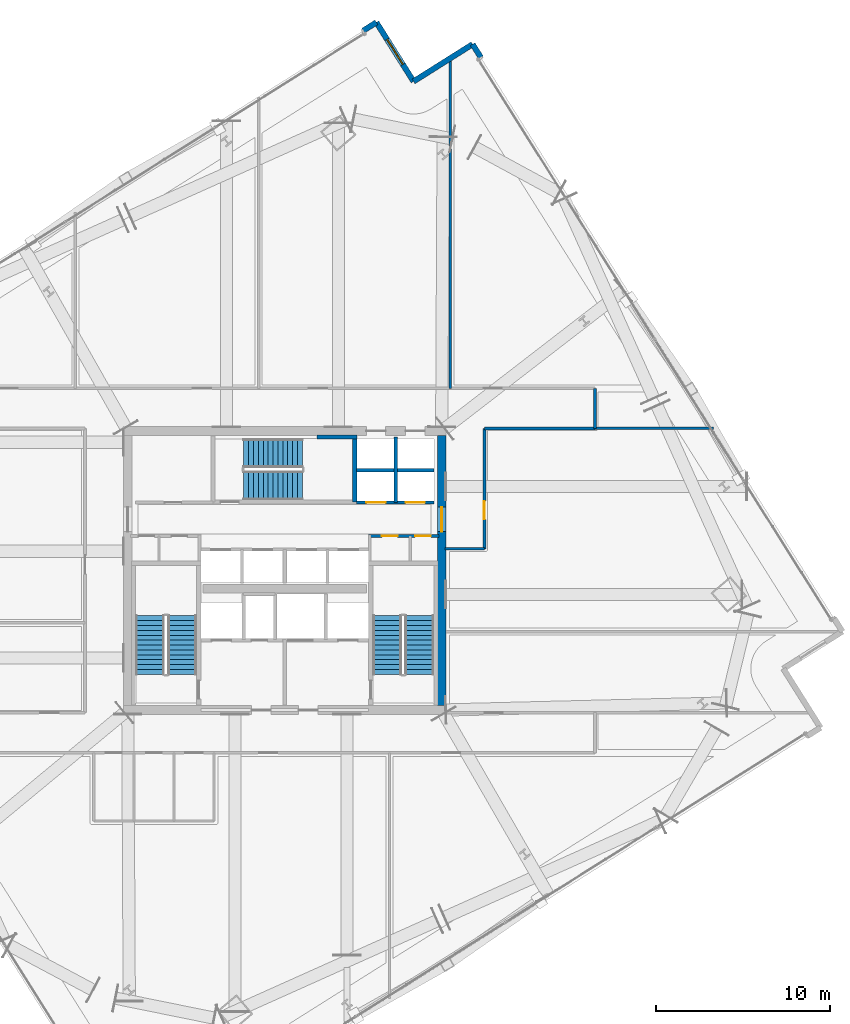
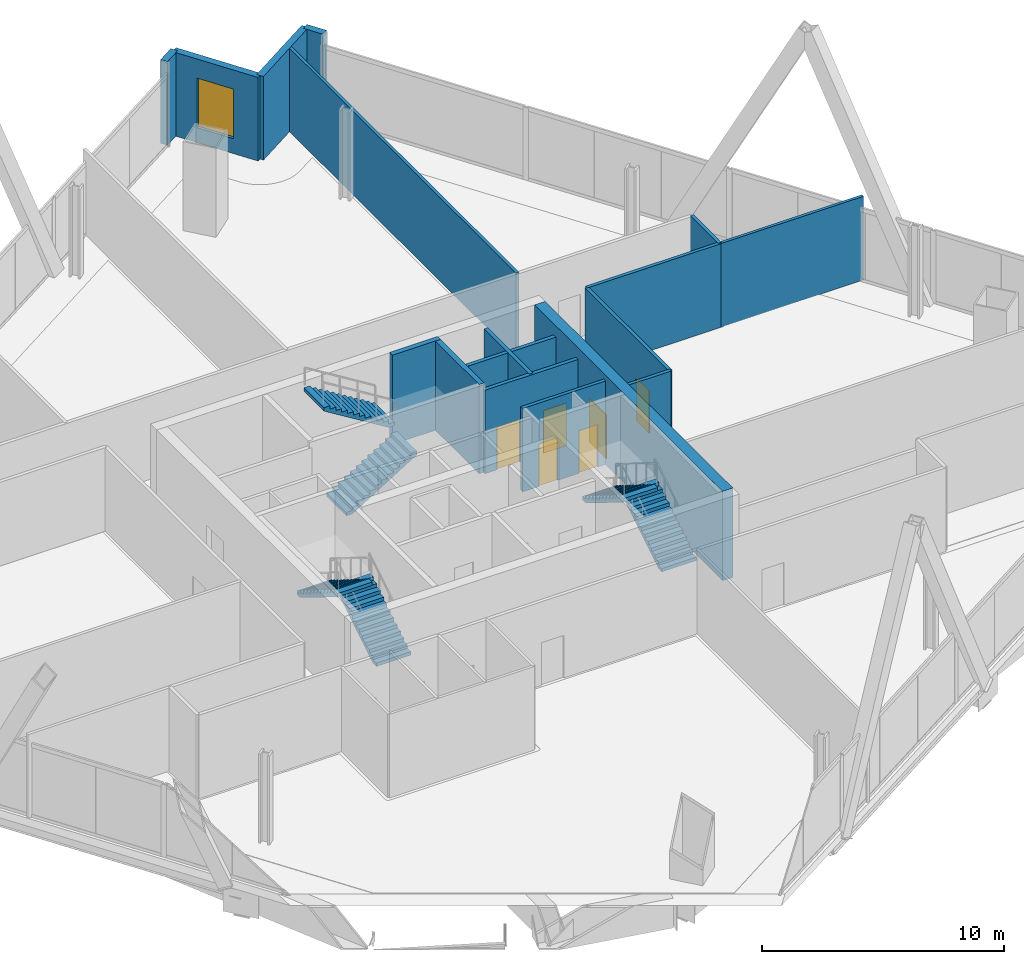
# One storey, part 24 of 29: 17 walls, 6 doors, 6 stair flights, 1 window, 7 openings, 3 elements without a shape of their own.
"""IFC4 building model written with IfcOpenShell, lengths in metres."""

from ifc_helpers import new_model, si_unit, direction, frame, frame_2d, origin, place, context, subcontext, project, spatial, polyline, rectangle, outline, extrude, material, layer, layer_set, type_object, element, fill, aggregate, save


model = new_model("IFC4")

# Units and contexts
model_context = context("Model", 3, precision=1e-05, world=origin(), true_north=direction((0.0, 1.0)))
body_context = subcontext(model_context, "Body", "Model", "MODEL_VIEW")
ifc_project = project(units=[si_unit("LENGTHUNIT", "METRE"), si_unit("AREAUNIT", "SQUARE_METRE"), si_unit("VOLUMEUNIT", "CUBIC_METRE"), si_unit("PLANEANGLEUNIT", "RADIAN"), si_unit("MASSUNIT", "GRAM", prefix="KILO")], contexts=[model_context])

# Site, building, storey
site_placement = place(None, origin())
site = spatial("IfcSite", under=ifc_project, at=site_placement, CompositionType="ELEMENT")
building_placement = place(site_placement, origin())
building = spatial("IfcBuilding", under=site, at=building_placement, Name="Haldenkirk Collegiate Tower", CompositionType="ELEMENT")
storey_placement = place(building_placement, frame((0.0, 0.0, 136.199951171875)))
storey = spatial("IfcBuildingStorey", under=building, at=storey_placement, Name="L33", CompositionType="ELEMENT", Elevation=136.199951171875)

# Wall, opening, door
ifc_material_1 = material(Name="Concrete f'c 55 MPa", Category="concrete")
ifc_layer_1 = layer(ifc_material_1, 0.5)
ifc_layer_set_1 = layer_set([ifc_layer_1], Name="Concrete f'c 55 MPa")
wall_type_1 = type_object("IfcWallType", Name="WL-CORE-500", PredefinedType="SHEAR", material=ifc_layer_set_1)
wall_1_placement = place(storey_placement, frame((45.0, 18.25, 0.0), z_axis=(0.0, 0.0, 1.0), x_axis=(0.0, 1.0, 0.0)))
wall_1 = element("IfcWall", 1, at=wall_1_placement, inside=storey, type_object=wall_type_1, Name="L33 central core shear wall E", PredefinedType="SHEAR", context=body_context, shape_type="SweptSolid", body=[
    extrude(rectangle(XDim=15.5, YDim=0.5, at=frame_2d((7.75, 0.0))), origin(), (0.0, 0.0, 1.0), 4.5),
])
opening_1_placement = place(wall_1_placement, frame((9.989990234375, 0.0, 0.0)))
opening_1 = element("IfcOpeningElement", 2, at=opening_1_placement, cuts=wall_1, Name="Opening D-03", PredefinedType="OPENING", context=body_context, shape_type="SweptSolid", body=[
    extrude(rectangle(XDim=1.39990234375, YDim=2.199951171875, at=frame_2d((0.699951171875, 1.10009765625))), frame((0.0, 0.260009765625, 0.0), z_axis=(0.0, -1.0, 0.0), x_axis=(1.0, 0.0, 0.0)), (0.0, 0.0, 1.0), 0.52001953125),
])
ifc_material_2 = material(Name="Galvanized fire-rated hollow steel door", Category="steel")
ifc_layer_2 = layer(ifc_material_2, 0.06005859375)
ifc_layer_set_2 = layer_set([ifc_layer_2], Name="Galvanized fire-rated hollow steel door")
door_type_1 = type_object("IfcDoorType", Name="DR-LOBBY-FD90-1400", OperationType="NOTDEFINED", PredefinedType="DOOR", material=ifc_layer_set_2)
door_1_placement = place(opening_1_placement, origin())
door_1 = element("IfcDoor", 3, at=door_1_placement, inside=storey, type_object=door_type_1, Name="L33 east lift lobby portal", OperationType="DOUBLE_DOOR_SINGLE_SWING", OverallHeight=2.199951171875, OverallWidth=1.39990234375, PredefinedType="DOOR", context=body_context, shape_type="SweptSolid", body=[
    extrude(rectangle(XDim=1.39990234375, YDim=2.199951171875, at=frame_2d((0.699951171875, 1.10009765625))), frame((0.0, 0.02490234375, 0.0), z_axis=(0.0, -1.0, 0.0), x_axis=(1.0, 0.0, 0.0)), (0.0, 0.0, 1.0), 0.050048828125),
])
fill(opening_1, door_1)

# Walls
ifc_material_3 = material(Name="Precast concrete f'c 40 MPa", Category="concrete")
ifc_layer_3 = layer(ifc_material_3, 0.320068359375)
ifc_layer_set_3 = layer_set([ifc_layer_3], Name="Precast concrete f'c 40 MPa")
wall_type_2 = type_object("IfcWallType", Name="WL-EXT-TWR-320", PredefinedType="STANDARD", material=ifc_layer_set_3)
wall_2_placement = place(storey_placement, frame((46.773193359375, 56.18310546875, 0.0), z_axis=(0.0, 0.0, 1.0), x_axis=(0.532726937179, -0.846287191445, 0.0)))
element("IfcWall", 4, at=wall_2_placement, inside=storey, type_object=wall_type_2, Name="L33 precast corner pier EL", PredefinedType="STANDARD", context=body_context, shape_type="SweptSolid", body=[
    extrude(rectangle(XDim=0.900146484375, YDim=0.320068359375, at=frame_2d((0.4501953125, 0.0))), origin(), (0.0, 0.0, 1.0), 4.2099609375),
])
wall_3_placement = place(storey_placement, frame((43.38818359375, 54.051513671875, 0.0), z_axis=(0.0, 0.0, 1.0), x_axis=(0.846200224481, 0.532865067432, 0.0)))
element("IfcWall", 5, at=wall_3_placement, inside=storey, type_object=wall_type_2, Name="L33 bronze precast notch wall 05", PredefinedType="STANDARD", context=body_context, shape_type="SweptSolid", body=[
    extrude(rectangle(XDim=4.000244140625, YDim=0.320068359375, at=frame_2d((2.0, 0.0))), origin(), (0.0, 0.0, 1.0), 4.2099609375),
])

# Wall, opening, window
wall_4_placement = place(storey_placement, frame((41.2568359375, 57.436279296875, 0.0), z_axis=(0.0, 0.0, 1.0), x_axis=(0.532848883848, -0.846210415312, 0.0)))
wall_4 = element("IfcWall", 6, at=wall_4_placement, inside=storey, type_object=wall_type_2, Name="L33 bronze precast notch wall 06", PredefinedType="STANDARD", context=body_context, shape_type="SweptSolid", body=[
    extrude(rectangle(XDim=4.0, YDim=0.320068359375, at=frame_2d((2.0, 0.0))), origin(), (0.0, 0.0, 1.0), 4.2099609375),
])
opening_2_placement = place(wall_4_placement, frame((1.14990234375, 0.0, 0.75)))
opening_2 = element("IfcOpeningElement", 7, at=opening_2_placement, cuts=wall_4, Name="Opening W-09", PredefinedType="OPENING", context=body_context, shape_type="SweptSolid", body=[
    extrude(rectangle(XDim=1.699951171875, YDim=2.5, at=frame_2d((0.85009765625, 1.25))), frame((0.0, 0.169921875, 0.0), z_axis=(0.0, -1.0, 0.0), x_axis=(1.0, 0.0, 0.0)), (0.0, 0.0, 1.0), 0.340087890625),
])
ifc_material_4 = material(Name="Low-E argon triple insulating glass", Category="glass")
ifc_layer_4 = layer(ifc_material_4, 0.090087890625)
ifc_layer_set_4 = layer_set([ifc_layer_4], Name="Low-E argon triple insulating glass")
window_type = type_object("IfcWindowType", Name="WN-SG-1700X2500", PartitioningType="SINGLE_PANEL", PredefinedType="WINDOW", material=ifc_layer_set_4)
window_placement = place(opening_2_placement, origin())
window = element("IfcWindow", 8, at=window_placement, inside=storey, type_object=window_type, Name="L33 precast-frame academic window 5", OverallHeight=2.5, OverallWidth=1.699951171875, PartitioningType="SINGLE_PANEL", PredefinedType="WINDOW", context=body_context, shape_type="SweptSolid", body=[
    extrude(rectangle(XDim=1.699951171875, YDim=2.5, at=frame_2d((0.85009765625, 1.25))), frame((0.0, 0.030029296875, 0.0), z_axis=(0.0, -1.0, 0.0), x_axis=(1.0, 0.0, 0.0)), (0.0, 0.0, 1.0), 0.06005859375),
])
fill(opening_2, window)

# Wall
wall_5_placement = place(storey_placement, frame((40.4951171875, 56.956787109375, 0.0), z_axis=(0.0, 0.0, 1.0), x_axis=(0.846287191445, 0.532726937179, 0.0)))
element("IfcWall", 9, at=wall_5_placement, inside=storey, type_object=wall_type_2, Name="L33 precast corner pier NR", PredefinedType="STANDARD", context=body_context, shape_type="SweptSolid", body=[
    extrude(rectangle(XDim=0.900146484375, YDim=0.320068359375, at=frame_2d((0.4501953125, 0.0))), origin(), (0.0, 0.0, 1.0), 4.2099609375),
])

# Wall, openings, doors
ifc_material_5 = material(Name="Acoustic fire-rated gypsum partition", Category="concrete")
ifc_layer_5 = layer(ifc_material_5, 0.159912109375)
ifc_layer_set_5 = layer_set([ifc_layer_5], Name="Acoustic fire-rated gypsum partition")
wall_type_3 = type_object("IfcWallType", Name="WL-INT-CORR-160", PredefinedType="PARTITIONING", material=ifc_layer_set_5)
wall_6_placement = place(storey_placement, frame((40.800048828125, 27.97998046875, 0.0), z_axis=(0.0, 0.0, 1.0), x_axis=(1.0, 0.0, 0.0)))
wall_6 = element("IfcWall", 10, at=wall_6_placement, inside=storey, type_object=wall_type_3, Name="L33 interior partition IW-L33-VCSE-N", PredefinedType="PARTITIONING", context=body_context, shape_type="SweptSolid", body=[
    extrude(rectangle(XDim=4.050048828125, YDim=0.159912109375, at=frame_2d((2.02490234375, 0.0))), origin(), (0.0, 0.0, 1.0), 4.2099609375),
])
opening_3_placement = place(wall_6_placement, frame((0.77001953125, 0.0, 0.0)))
opening_3 = element("IfcOpeningElement", 11, at=opening_3_placement, cuts=wall_6, Name="Opening D-11", PredefinedType="OPENING", context=body_context, shape_type="SweptSolid", body=[
    extrude(rectangle(XDim=0.89990234375, YDim=2.14990234375, at=frame_2d((0.449951171875, 1.074951171875))), frame((0.0, 0.08984375, 0.0), z_axis=(0.0, -1.0, 0.0), x_axis=(1.0, 0.0, 0.0)), (0.0, 0.0, 1.0), 0.179931640625),
])
opening_4_placement = place(wall_6_placement, frame((2.679931640625, 0.0, 0.0)))
opening_4 = element("IfcOpeningElement", 12, at=opening_4_placement, cuts=wall_6, Name="Opening D-11", PredefinedType="OPENING", context=body_context, shape_type="SweptSolid", body=[
    extrude(rectangle(XDim=0.89990234375, YDim=2.14990234375, at=frame_2d((0.449951171875, 1.074951171875))), frame((0.0, 0.08984375, 0.0), z_axis=(0.0, -1.0, 0.0), x_axis=(1.0, 0.0, 0.0)), (0.0, 0.0, 1.0), 0.179931640625),
])
ifc_material_6 = material(Name="Solid-core architectural oak fire door", Category="wood")
ifc_layer_6 = layer(ifc_material_6, 0.06005859375)
ifc_layer_set_6 = layer_set([ifc_layer_6], Name="Solid-core architectural oak fire door")
door_type_2 = type_object("IfcDoorType", Name="DR-INT-FD60-900", OperationType="NOTDEFINED", PredefinedType="DOOR", material=ifc_layer_set_6)
door_2_placement = place(opening_3_placement, origin())
door_2 = element("IfcDoor", 13, at=door_2_placement, inside=storey, type_object=door_type_2, Name="L33 core archive door", OperationType="SINGLE_SWING_RIGHT", OverallHeight=2.14990234375, OverallWidth=0.89990234375, PredefinedType="DOOR", context=body_context, shape_type="SweptSolid", body=[
    extrude(rectangle(XDim=0.89990234375, YDim=2.14990234375, at=frame_2d((0.449951171875, 1.074951171875))), frame((0.0, 0.02490234375, 0.0), z_axis=(0.0, -1.0, 0.0), x_axis=(1.0, 0.0, 0.0)), (0.0, 0.0, 1.0), 0.050048828125),
])
fill(opening_3, door_2)
door_3_placement = place(opening_4_placement, origin())
door_3 = element("IfcDoor", 14, at=door_3_placement, inside=storey, type_object=door_type_2, Name="L33 core telecom door", OperationType="SINGLE_SWING_LEFT", OverallHeight=2.14990234375, OverallWidth=0.89990234375, PredefinedType="DOOR", context=body_context, shape_type="SweptSolid", body=[
    extrude(rectangle(XDim=0.89990234375, YDim=2.14990234375, at=frame_2d((0.449951171875, 1.074951171875))), frame((0.0, 0.02490234375, 0.0), z_axis=(0.0, -1.0, 0.0), x_axis=(1.0, 0.0, 0.0)), (0.0, 0.0, 1.0), 0.050048828125),
])
fill(opening_4, door_3)

# Wall
wall_7_placement = place(storey_placement, frame((47.449951171875, 34.14990234375, 0.0), z_axis=(0.0, 0.0, 1.0), x_axis=(1.0, 0.0, 0.0)))
element("IfcWall", 15, at=wall_7_placement, inside=storey, type_object=wall_type_3, Name="L33 interior partition IW-L33-CNE", PredefinedType="PARTITIONING", context=body_context, shape_type="SweptSolid", body=[
    extrude(rectangle(XDim=6.35009765625, YDim=0.159912109375, at=frame_2d((3.175048828125, 0.0))), origin(), (0.0, 0.0, 1.0), 4.2099609375),
])

# Wall, opening, door
wall_8_placement = place(storey_placement, frame((47.449951171875, 27.25, 0.0), z_axis=(0.0, 0.0, 1.0), x_axis=(0.0, 1.0, 0.0)))
wall_8 = element("IfcWall", 16, at=wall_8_placement, inside=storey, type_object=wall_type_3, Name="L33 interior partition IW-L33-CE", PredefinedType="PARTITIONING", context=body_context, shape_type="SweptSolid", body=[
    extrude(rectangle(XDim=6.89990234375, YDim=0.159912109375, at=frame_2d((3.449951171875, 0.0))), origin(), (0.0, 0.0, 1.0), 4.2099609375),
])
opening_5_placement = place(wall_8_placement, frame((1.68310546875, 0.0, 0.0)))
opening_5 = element("IfcOpeningElement", 17, at=opening_5_placement, cuts=wall_8, Name="Opening D-09", PredefinedType="OPENING", context=body_context, shape_type="SweptSolid", body=[
    extrude(rectangle(XDim=1.050048828125, YDim=2.14990234375, at=frame_2d((0.52490234375, 1.074951171875))), frame((0.0, 0.08984375, 0.0), z_axis=(0.0, -1.0, 0.0), x_axis=(1.0, 0.0, 0.0)), (0.0, 0.0, 1.0), 0.179931640625),
])
ifc_layer_7 = layer(ifc_material_6, 0.06005859375)
ifc_layer_set_7 = layer_set([ifc_layer_7], Name="Solid-core architectural oak fire door")
door_type_3 = type_object("IfcDoorType", Name="DR-INT-FD60-1050", OperationType="NOTDEFINED", PredefinedType="DOOR", material=ifc_layer_set_7)
door_4_placement = place(opening_5_placement, origin())
door_4 = element("IfcDoor", 18, at=door_4_placement, inside=storey, type_object=door_type_3, Name="L33 Student Reading Lounge 10 door", OperationType="SINGLE_SWING_LEFT", OverallHeight=2.14990234375, OverallWidth=1.050048828125, PredefinedType="DOOR", context=body_context, shape_type="SweptSolid", body=[
    extrude(rectangle(XDim=1.050048828125, YDim=2.14990234375, at=frame_2d((0.52490234375, 1.074951171875))), frame((0.0, 0.02490234375, 0.0), z_axis=(0.0, -1.0, 0.0), x_axis=(1.0, 0.0, 0.0)), (0.0, 0.0, 1.0), 0.050048828125),
])
fill(opening_5, door_4)

# Walls
wall_9_placement = place(storey_placement, frame((45.199951171875, 27.25, 0.0), z_axis=(0.0, 0.0, 1.0), x_axis=(1.0, 0.0, 0.0)))
element("IfcWall", 19, at=wall_9_placement, inside=storey, type_object=wall_type_3, Name="L33 interior partition IW-L33-CES", PredefinedType="PARTITIONING", context=body_context, shape_type="SweptSolid", body=[
    extrude(rectangle(XDim=2.25, YDim=0.159912109375, at=frame_2d((1.125, 0.0))), origin(), (0.0, 0.0, 1.0), 4.2099609375),
])
wall_10_placement = place(storey_placement, frame((53.800048828125, 34.14990234375, 0.0), z_axis=(0.0, 0.0, 1.0), x_axis=(0.0, 1.0, 0.0)))
element("IfcWall", 20, at=wall_10_placement, inside=storey, type_object=wall_type_3, Name="L33 interior partition IW-L33-CNR", PredefinedType="PARTITIONING", context=body_context, shape_type="SweptSolid", body=[
    extrude(rectangle(XDim=2.300048828125, YDim=0.159912109375, at=frame_2d((1.14990234375, 0.0))), origin(), (0.0, 0.0, 1.0), 4.2099609375),
])
ifc_layer_8 = layer(ifc_material_5, 0.139892578125)
ifc_layer_set_8 = layer_set([ifc_layer_8], Name="Acoustic fire-rated gypsum partition")
wall_type_4 = type_object("IfcWallType", Name="WL-INT-DIV-140", PredefinedType="PARTITIONING", material=ifc_layer_set_8)
wall_11_placement = place(storey_placement, frame((53.800048828125, 34.14990234375, 0.0), z_axis=(0.0, 0.0, 1.0), x_axis=(1.0, 0.0, 0.0)))
element("IfcWall", 21, at=wall_11_placement, inside=storey, type_object=wall_type_4, Name="L33 interior partition IW-L33-BEN", PredefinedType="PARTITIONING", context=body_context, shape_type="SweptSolid", body=[
    extrude(rectangle(XDim=6.80078125, YDim=0.139892578125, at=frame_2d((3.400390625, 0.0))), origin(), (0.0, 0.0, 1.0), 4.2099609375),
])
wall_12_placement = place(storey_placement, frame((45.5, 36.449951171875, 0.0), z_axis=(0.0, 0.0, 1.0), x_axis=(0.0, 1.0, 0.0)))
element("IfcWall", 22, at=wall_12_placement, inside=storey, type_object=wall_type_4, Name="L33 interior partition IW-L33-RN3", PredefinedType="PARTITIONING", context=body_context, shape_type="SweptSolid", body=[
    extrude(rectangle(XDim=18.884033203125, YDim=0.139892578125, at=frame_2d((9.44189453125, 0.0))), origin(), (0.0, 0.0, 1.0), 4.2099609375),
])

# Wall, openings, doors
ifc_material_7 = material(Name="Fire-rated gypsum shaftboard assembly", Category="concrete")
ifc_layer_9 = layer(ifc_material_7, 0.179931640625)
ifc_layer_set_9 = layer_set([ifc_layer_9], Name="Fire-rated gypsum shaftboard assembly")
wall_type_5 = type_object("IfcWallType", Name="WL-INT-SHAFT-180", PredefinedType="PARTITIONING", material=ifc_layer_set_9)
wall_13_placement = place(storey_placement, frame((40.1201171875, 29.89990234375, 0.0), z_axis=(0.0, 0.0, 1.0), x_axis=(1.0, 0.0, 0.0)))
wall_13 = element("IfcWall", 23, at=wall_13_placement, inside=storey, type_object=wall_type_5, Name="L33 interior partition IW-L33-PMS", PredefinedType="PARTITIONING", context=body_context, shape_type="SweptSolid", body=[
    extrude(rectangle(XDim=4.429931640625, YDim=0.179931640625, at=frame_2d((2.21484375, 0.0))), origin(), (0.0, 0.0, 1.0), 4.2099609375),
])
opening_6_placement = place(wall_13_placement, frame((0.56494140625, 0.0, 0.0)))
opening_6 = element("IfcOpeningElement", 24, at=opening_6_placement, cuts=wall_13, Name="Opening LD-11", PredefinedType="OPENING", context=body_context, shape_type="SweptSolid", body=[
    extrude(rectangle(XDim=1.10009765625, YDim=2.14990234375, at=frame_2d((0.550048828125, 1.074951171875))), frame((0.0, 0.099853515625, 0.0), z_axis=(0.0, -1.0, 0.0), x_axis=(1.0, 0.0, 0.0)), (0.0, 0.0, 1.0), 0.199951171875),
])
opening_7_placement = place(wall_13_placement, frame((2.81494140625, 0.0, 0.0)))
opening_7 = element("IfcOpeningElement", 25, at=opening_7_placement, cuts=wall_13, Name="Opening LD-11", PredefinedType="OPENING", context=body_context, shape_type="SweptSolid", body=[
    extrude(rectangle(XDim=1.10009765625, YDim=2.14990234375, at=frame_2d((0.550048828125, 1.074951171875))), frame((0.0, 0.099853515625, 0.0), z_axis=(0.0, -1.0, 0.0), x_axis=(1.0, 0.0, 0.0)), (0.0, 0.0, 1.0), 0.199951171875),
])
ifc_material_8 = material(Name="Brushed architectural stainless steel", Category="steel")
ifc_layer_10 = layer(ifc_material_8, 0.06005859375)
ifc_layer_set_10 = layer_set([ifc_layer_10], Name="Brushed architectural stainless steel")
door_type_4 = type_object("IfcDoorType", Name="LD-PASS-1100", OperationType="NOTDEFINED", PredefinedType="DOOR", material=ifc_layer_set_10)
door_5_placement = place(opening_6_placement, origin())
door_5 = element("IfcDoor", 26, at=door_5_placement, inside=storey, type_object=door_type_4, Name="L33 Elevator PM1 sliding landing door", OperationType="SLIDING_TO_LEFT", OverallHeight=2.14990234375, OverallWidth=1.10009765625, PredefinedType="DOOR", context=body_context, shape_type="SweptSolid", body=[
    extrude(rectangle(XDim=1.10009765625, YDim=2.14990234375, at=frame_2d((0.550048828125, 1.074951171875))), frame((0.0, 0.02490234375, 0.0), z_axis=(0.0, -1.0, 0.0), x_axis=(1.0, 0.0, 0.0)), (0.0, 0.0, 1.0), 0.050048828125),
])
fill(opening_6, door_5)
door_6_placement = place(opening_7_placement, origin())
door_6 = element("IfcDoor", 27, at=door_6_placement, inside=storey, type_object=door_type_4, Name="L33 Elevator PM2 sliding landing door", OperationType="SLIDING_TO_LEFT", OverallHeight=2.14990234375, OverallWidth=1.10009765625, PredefinedType="DOOR", context=body_context, shape_type="SweptSolid", body=[
    extrude(rectangle(XDim=1.10009765625, YDim=2.14990234375, at=frame_2d((0.550048828125, 1.074951171875))), frame((0.0, 0.02490234375, 0.0), z_axis=(0.0, -1.0, 0.0), x_axis=(1.0, 0.0, 0.0)), (0.0, 0.0, 1.0), 0.050048828125),
])
fill(opening_7, door_6)

# Walls
wall_14_placement = place(storey_placement, frame((40.1201171875, 31.75, 0.0), z_axis=(0.0, 0.0, 1.0), x_axis=(1.0, 0.0, 0.0)))
element("IfcWall", 28, at=wall_14_placement, inside=storey, type_object=wall_type_5, Name="L33 interior partition IW-L33-PMM", PredefinedType="PARTITIONING", context=body_context, shape_type="SweptSolid", body=[
    extrude(rectangle(XDim=4.429931640625, YDim=0.179931640625, at=frame_2d((2.21484375, 0.0))), origin(), (0.0, 0.0, 1.0), 4.2099609375),
])
wall_15_placement = place(storey_placement, frame((42.3701171875, 29.89990234375, 0.0), z_axis=(0.0, 0.0, 1.0), x_axis=(0.0, 1.0, 0.0)))
element("IfcWall", 29, at=wall_15_placement, inside=storey, type_object=wall_type_5, Name="L33 interior partition IW-L33-PMV", PredefinedType="PARTITIONING", context=body_context, shape_type="SweptSolid", body=[
    extrude(rectangle(XDim=3.75, YDim=0.179931640625, at=frame_2d((1.875, 0.0))), origin(), (0.0, 0.0, 1.0), 4.2099609375),
])
ifc_layer_11 = layer(ifc_material_1, 0.239990234375)
ifc_layer_set_11 = layer_set([ifc_layer_11], Name="Concrete f'c 55 MPa")
wall_type_6 = type_object("IfcWallType", Name="WL-SHAFT-240", PredefinedType="SHEAR", material=ifc_layer_set_11)
wall_16_placement = place(storey_placement, frame((40.02001953125, 29.929931640625, 0.0), z_axis=(0.0, 0.0, 1.0), x_axis=(0.0, 1.0, 0.0)))
element("IfcWall", 30, at=wall_16_placement, inside=storey, type_object=wall_type_6, Name="L33 stair shaft shear wall SW-L33-ST3E", PredefinedType="SHEAR", context=body_context, shape_type="SweptSolid", body=[
    extrude(rectangle(XDim=3.85009765625, YDim=0.239990234375, at=frame_2d((1.925048828125, 0.0))), origin(), (0.0, 0.0, 1.0), 4.5),
])
wall_17_placement = place(storey_placement, frame((37.85009765625, 33.659912109375, 0.0), z_axis=(0.0, 0.0, 1.0), x_axis=(1.0, 0.0, 0.0)))
element("IfcWall", 31, at=wall_17_placement, inside=storey, type_object=wall_type_6, Name="L33 stair shaft shear wall SW-L33-ST3N", PredefinedType="SHEAR", context=body_context, shape_type="SweptSolid", body=[
    extrude(rectangle(XDim=2.289794921875, YDim=0.239990234375, at=frame_2d((1.14501953125, 0.0))), origin(), (0.0, 0.0, 1.0), 4.5),
])

# Stair, stair flights
ifc_material_9 = material(Name="Concrete f'c 40 MPa", Category="concrete")
stair_type = type_object("IfcStairType", Name="STR-DOGLEG-1650", PredefinedType="HALF_TURN_STAIR", material=ifc_material_9)
stair_1_placement = place(storey_placement, origin())
stair_1 = element("IfcStair", 32, at=stair_1_placement, inside=storey, type_object=stair_type, Name="L33 Core Exit Stair ST-1", PredefinedType="HALF_TURN_STAIR")
stair_flight_type = type_object("IfcStairFlightType", Name="STF-FLIGHT-1650", PredefinedType="STRAIGHT", material=ifc_material_9)
stair_flight_1_placement = place(storey_placement, frame((30.125, 20.050048828125, 0.0), z_axis=(0.0, 0.0, 1.0), x_axis=(0.0, 1.0, 0.0)))
stair_flight_1 = element("IfcStairFlight", 33, at=stair_flight_1_placement, type_object=stair_flight_type, Name="ST-1 flight 1", NumberOfRisers=13, NumberOfTreads=12, PredefinedType="STRAIGHT", RiserHeight=0.173076923, TreadLength=0.28, context=body_context, shape_type="SweptSolid", body=[
    extrude(outline(polyline([(0.0, 0.0), (0.0, 0.173095703125), (0.280029296875, 0.173095703125), (0.280029296875, 0.34619140625), (0.56005859375, 0.34619140625), (0.56005859375, 0.519287109375), (0.840087890625, 0.519287109375), (0.840087890625, 0.6923828125), (1.1201171875, 0.6923828125), (1.1201171875, 0.865478515625), (1.39990234375, 0.865478515625), (1.39990234375, 1.03857421875), (1.679931640625, 1.03857421875), (1.679931640625, 1.21142578125), (1.9599609375, 1.21142578125), (1.9599609375, 1.384521484375), (2.239990234375, 1.384521484375), (2.239990234375, 1.5576171875), (2.52001953125, 1.5576171875), (2.52001953125, 1.730712890625), (2.800048828125, 1.730712890625), (2.800048828125, 1.90380859375), (3.080078125, 1.90380859375), (3.080078125, 2.076904296875), (3.360107421875, 2.076904296875), (3.360107421875, 2.25), (3.360107421875, 1.900634765625), (0.28515625, 0.0), (0.0, 0.0)])), frame((0.0, 0.824951171875, 0.0), z_axis=(0.0, -1.0, 0.0), x_axis=(1.0, 0.0, 0.0)), (0.0, 0.0, 1.0), 1.64990234375),
])
stair_flight_2_placement = place(storey_placement, frame((28.27490234375, 23.409912109375, 2.25), z_axis=(0.0, 0.0, 1.0), x_axis=(0.0, -1.0, 0.0)))
stair_flight_2 = element("IfcStairFlight", 34, at=stair_flight_2_placement, type_object=stair_flight_type, Name="ST-1 flight 2", NumberOfRisers=13, NumberOfTreads=12, PredefinedType="STRAIGHT", RiserHeight=0.173076923, TreadLength=0.28, context=body_context, shape_type="SweptSolid", body=[
    extrude(outline(polyline([(0.0, 0.0), (0.0, 0.173095703125), (0.280029296875, 0.173095703125), (0.280029296875, 0.34619140625), (0.56005859375, 0.34619140625), (0.56005859375, 0.519287109375), (0.840087890625, 0.519287109375), (0.840087890625, 0.6923828125), (1.1201171875, 0.6923828125), (1.1201171875, 0.865478515625), (1.39990234375, 0.865478515625), (1.39990234375, 1.03857421875), (1.679931640625, 1.03857421875), (1.679931640625, 1.21142578125), (1.9599609375, 1.21142578125), (1.9599609375, 1.384521484375), (2.239990234375, 1.384521484375), (2.239990234375, 1.5576171875), (2.52001953125, 1.5576171875), (2.52001953125, 1.730712890625), (2.800048828125, 1.730712890625), (2.800048828125, 1.90380859375), (3.080078125, 1.90380859375), (3.080078125, 2.076904296875), (3.360107421875, 2.076904296875), (3.360107421875, 2.25), (3.360107421875, 1.900634765625), (0.28515625, 0.0), (0.0, 0.0)])), frame((0.0, 0.824951171875, 0.0), z_axis=(0.0, -1.0, 0.0), x_axis=(1.0, 0.0, 0.0)), (0.0, 0.0, 1.0), 1.64990234375),
])
aggregate(stair_1, [stair_flight_1, stair_flight_2])

stair_2_placement = place(storey_placement, origin())
stair_2 = element("IfcStair", 35, at=stair_2_placement, inside=storey, type_object=stair_type, Name="L33 Core Exit Stair ST-2", PredefinedType="HALF_TURN_STAIR")
stair_flight_3_placement = place(storey_placement, frame((43.72509765625, 20.050048828125, 0.0), z_axis=(0.0, 0.0, 1.0), x_axis=(0.0, 1.0, 0.0)))
stair_flight_3 = element("IfcStairFlight", 36, at=stair_flight_3_placement, type_object=stair_flight_type, Name="ST-2 flight 1", NumberOfRisers=13, NumberOfTreads=12, PredefinedType="STRAIGHT", RiserHeight=0.173076923, TreadLength=0.28, context=body_context, shape_type="SweptSolid", body=[
    extrude(outline(polyline([(0.0, 0.0), (0.0, 0.173095703125), (0.280029296875, 0.173095703125), (0.280029296875, 0.34619140625), (0.56005859375, 0.34619140625), (0.56005859375, 0.519287109375), (0.840087890625, 0.519287109375), (0.840087890625, 0.6923828125), (1.1201171875, 0.6923828125), (1.1201171875, 0.865478515625), (1.39990234375, 0.865478515625), (1.39990234375, 1.03857421875), (1.679931640625, 1.03857421875), (1.679931640625, 1.21142578125), (1.9599609375, 1.21142578125), (1.9599609375, 1.384521484375), (2.239990234375, 1.384521484375), (2.239990234375, 1.5576171875), (2.52001953125, 1.5576171875), (2.52001953125, 1.730712890625), (2.800048828125, 1.730712890625), (2.800048828125, 1.90380859375), (3.080078125, 1.90380859375), (3.080078125, 2.076904296875), (3.360107421875, 2.076904296875), (3.360107421875, 2.25), (3.360107421875, 1.900634765625), (0.28515625, 0.0), (0.0, 0.0)])), frame((0.0, 0.824951171875, 0.0), z_axis=(0.0, -1.0, 0.0), x_axis=(1.0, 0.0, 0.0)), (0.0, 0.0, 1.0), 1.64990234375),
])
stair_flight_4_placement = place(storey_placement, frame((41.875, 23.409912109375, 2.25), z_axis=(0.0, 0.0, 1.0), x_axis=(0.0, -1.0, 0.0)))
stair_flight_4 = element("IfcStairFlight", 37, at=stair_flight_4_placement, type_object=stair_flight_type, Name="ST-2 flight 2", NumberOfRisers=13, NumberOfTreads=12, PredefinedType="STRAIGHT", RiserHeight=0.173076923, TreadLength=0.28, context=body_context, shape_type="SweptSolid", body=[
    extrude(outline(polyline([(0.0, 0.0), (0.0, 0.173095703125), (0.280029296875, 0.173095703125), (0.280029296875, 0.34619140625), (0.56005859375, 0.34619140625), (0.56005859375, 0.519287109375), (0.840087890625, 0.519287109375), (0.840087890625, 0.6923828125), (1.1201171875, 0.6923828125), (1.1201171875, 0.865478515625), (1.39990234375, 0.865478515625), (1.39990234375, 1.03857421875), (1.679931640625, 1.03857421875), (1.679931640625, 1.21142578125), (1.9599609375, 1.21142578125), (1.9599609375, 1.384521484375), (2.239990234375, 1.384521484375), (2.239990234375, 1.5576171875), (2.52001953125, 1.5576171875), (2.52001953125, 1.730712890625), (2.800048828125, 1.730712890625), (2.800048828125, 1.90380859375), (3.080078125, 1.90380859375), (3.080078125, 2.076904296875), (3.360107421875, 2.076904296875), (3.360107421875, 2.25), (3.360107421875, 1.900634765625), (0.28515625, 0.0), (0.0, 0.0)])), frame((0.0, 0.824951171875, 0.0), z_axis=(0.0, -1.0, 0.0), x_axis=(1.0, 0.0, 0.0)), (0.0, 0.0, 1.0), 1.64990234375),
])
aggregate(stair_2, [stair_flight_3, stair_flight_4])

stair_3_placement = place(storey_placement, origin())
stair_3 = element("IfcStair", 38, at=stair_3_placement, inside=storey, type_object=stair_type, Name="L33 Core Exit Stair ST-3", PredefinedType="HALF_TURN_STAIR")
stair_flight_5_placement = place(storey_placement, frame((33.64990234375, 30.875, 0.0), z_axis=(0.0, 0.0, 1.0), x_axis=(1.0, 0.0, 0.0)))
stair_flight_5 = element("IfcStairFlight", 39, at=stair_flight_5_placement, type_object=stair_flight_type, Name="ST-3 flight 1", NumberOfRisers=13, NumberOfTreads=12, PredefinedType="STRAIGHT", RiserHeight=0.173076923, TreadLength=0.28, context=body_context, shape_type="SweptSolid", body=[
    extrude(outline(polyline([(0.0, 0.0), (0.0, 0.173095703125), (0.280029296875, 0.173095703125), (0.280029296875, 0.34619140625), (0.56005859375, 0.34619140625), (0.56005859375, 0.519287109375), (0.840087890625, 0.519287109375), (0.840087890625, 0.6923828125), (1.1201171875, 0.6923828125), (1.1201171875, 0.865478515625), (1.39990234375, 0.865478515625), (1.39990234375, 1.03857421875), (1.679931640625, 1.03857421875), (1.679931640625, 1.21142578125), (1.9599609375, 1.21142578125), (1.9599609375, 1.384521484375), (2.239990234375, 1.384521484375), (2.239990234375, 1.5576171875), (2.52001953125, 1.5576171875), (2.52001953125, 1.730712890625), (2.800048828125, 1.730712890625), (2.800048828125, 1.90380859375), (3.080078125, 1.90380859375), (3.080078125, 2.076904296875), (3.360107421875, 2.076904296875), (3.360107421875, 2.25), (3.360107421875, 1.900634765625), (0.28515625, 0.0), (0.0, 0.0)])), frame((0.0, 0.824951171875, 0.0), z_axis=(0.0, -1.0, 0.0), x_axis=(1.0, 0.0, 0.0)), (0.0, 0.0, 1.0), 1.64990234375),
])
stair_flight_6_placement = place(storey_placement, frame((37.010009765625, 32.72509765625, 2.25), z_axis=(0.0, 0.0, 1.0), x_axis=(-1.0, 0.0, 0.0)))
stair_flight_6 = element("IfcStairFlight", 40, at=stair_flight_6_placement, type_object=stair_flight_type, Name="ST-3 flight 2", NumberOfRisers=13, NumberOfTreads=12, PredefinedType="STRAIGHT", RiserHeight=0.173076923, TreadLength=0.28, context=body_context, shape_type="SweptSolid", body=[
    extrude(outline(polyline([(0.0, 0.0), (0.0, 0.173095703125), (0.280029296875, 0.173095703125), (0.280029296875, 0.34619140625), (0.56005859375, 0.34619140625), (0.56005859375, 0.519287109375), (0.840087890625, 0.519287109375), (0.840087890625, 0.6923828125), (1.1201171875, 0.6923828125), (1.1201171875, 0.865478515625), (1.39990234375, 0.865478515625), (1.39990234375, 1.03857421875), (1.679931640625, 1.03857421875), (1.679931640625, 1.21142578125), (1.9599609375, 1.21142578125), (1.9599609375, 1.384521484375), (2.239990234375, 1.384521484375), (2.239990234375, 1.5576171875), (2.52001953125, 1.5576171875), (2.52001953125, 1.730712890625), (2.800048828125, 1.730712890625), (2.800048828125, 1.90380859375), (3.080078125, 1.90380859375), (3.080078125, 2.076904296875), (3.360107421875, 2.076904296875), (3.360107421875, 2.25), (3.360107421875, 1.900634765625), (0.28515625, 0.0), (0.0, 0.0)])), frame((0.0, 0.824951171875, 0.0), z_axis=(0.0, -1.0, 0.0), x_axis=(1.0, 0.0, 0.0)), (0.0, 0.0, 1.0), 1.64990234375),
])
aggregate(stair_3, [stair_flight_5, stair_flight_6])

save(model, "model.ifc")
